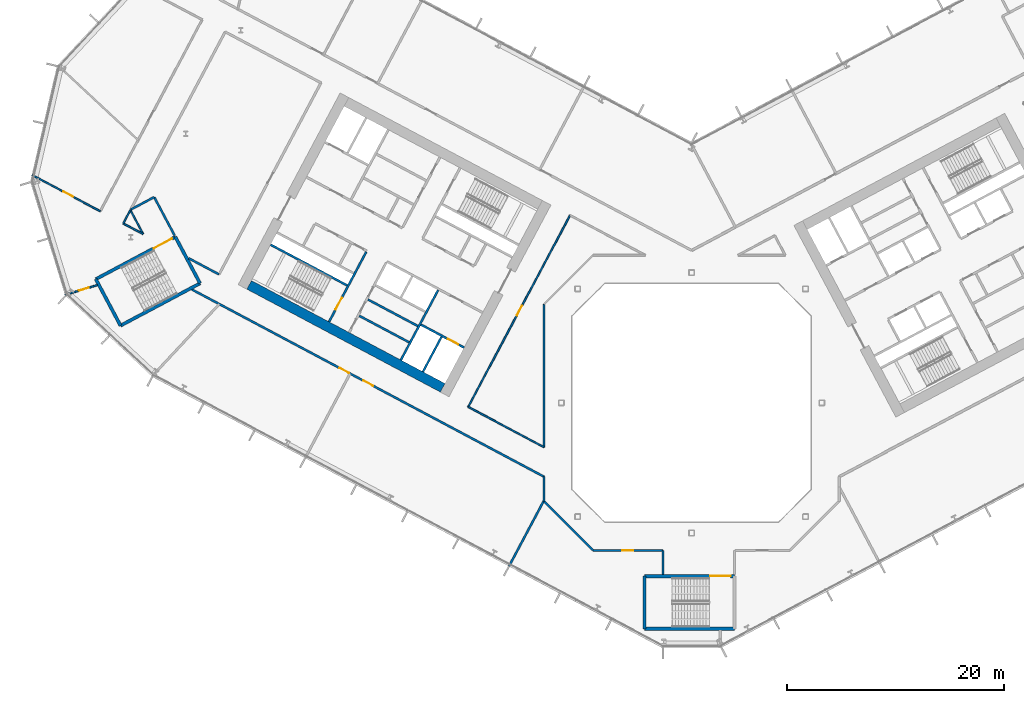
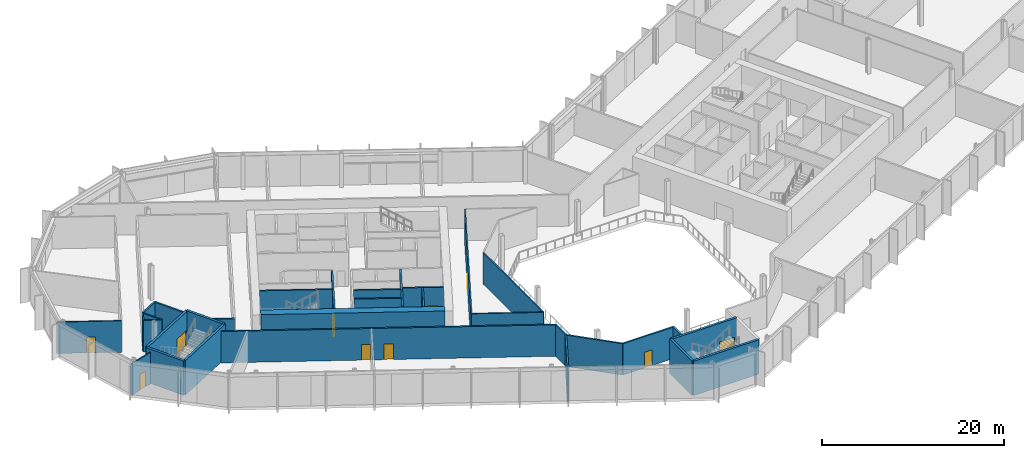
# One storey, part 14 of 32: 32 walls, 10 doors, 10 openings.
"""IFC4 building model written with IfcOpenShell, lengths in metres."""

from ifc_helpers import new_model, si_unit, direction, frame, frame_2d, origin, place, context, subcontext, project, spatial, rectangle, extrude, material, layer, layer_set, type_object, element, fill, save


model = new_model("IFC4")

# Units and contexts
model_context = context("Model", 3, precision=1e-05, world=origin(), true_north=direction((0.0, 1.0)))
body_context = subcontext(model_context, "Body", "Model", "MODEL_VIEW")
ifc_project = project(units=[si_unit("LENGTHUNIT", "METRE"), si_unit("AREAUNIT", "SQUARE_METRE"), si_unit("VOLUMEUNIT", "CUBIC_METRE"), si_unit("PLANEANGLEUNIT", "RADIAN"), si_unit("MASSUNIT", "GRAM", prefix="KILO")], contexts=[model_context])

# Site, building, storey
site_placement = place(None, origin())
site = spatial("IfcSite", under=ifc_project, at=site_placement, CompositionType="ELEMENT")
building_placement = place(site_placement, origin())
building = spatial("IfcBuilding", under=site, at=building_placement, Name="Cormorant Relay Tower", CompositionType="ELEMENT")
storey_placement = place(building_placement, frame((0.0, 0.0, 75.39990234375)))
storey = spatial("IfcBuildingStorey", under=building, at=storey_placement, Name="L14", CompositionType="ELEMENT", Elevation=75.39990234375)

# Walls
ifc_material_1 = material(Name="Concrete 40 MPa", Category="concrete")
ifc_layer_1 = layer(ifc_material_1, 0.199951171875)
ifc_layer_set_1 = layer_set([ifc_layer_1], Name="Core internal wall 200")
wall_type_1 = type_object("IfcWallType", Name="Core internal wall 200", PredefinedType="SOLIDWALL", material=ifc_layer_set_1)
for number, where, z_axis, x_axis, name in (
    (1, (-25.232421875, 7.073974609375, 0.0), (0.0, 0.0, 1.0), (-0.882953967957, 0.469459572775, 0.0), "L14 core A shaft and room wall"),
    (2, (-26.030517578125, 5.572998046875, 0.0), (0.0, 0.0, 1.0), (-0.882953967957, 0.469459572775, 0.0), "L14 core A shaft and room wall"),
):
    element("IfcWall", number, at=place(storey_placement, frame(where, z_axis=z_axis, x_axis=x_axis)), inside=storey, type_object=wall_type_1, Name=name, PredefinedType="SOLIDWALL", context=body_context, shape_type="SweptSolid", body=[
        extrude(rectangle(XDim=5.199951171875, YDim=0.199951171875, at=frame_2d((2.60009765625, 0.0))), origin(), (0.0, 0.0, 1.0), 4.60009765625),
    ])
ifc_material_2 = material(Name="Concrete 50 MPa", Category="concrete")
ifc_layer_2 = layer(ifc_material_2, 0.199951171875)
ifc_layer_set_2 = layer_set([ifc_layer_2], Name="Core shaft wall 200")
wall_type_2 = type_object("IfcWallType", Name="Core shaft wall 200", PredefinedType="SHEAR", material=ifc_layer_set_2)
wall_1_placement = place(storey_placement, frame((-23.04296875, 6.07958984375, 0.0), z_axis=(0.0, 0.0, 1.0), x_axis=(-0.469494272526, -0.882935517501, 0.0)))
element("IfcWall", 3, at=wall_1_placement, inside=storey, type_object=wall_type_2, Name="L14 core A shaft wall", PredefinedType="SHEAR", context=body_context, shape_type="SweptSolid", body=[
    extrude(rectangle(XDim=3.64990234375, YDim=0.199951171875, at=frame_2d((1.824951171875, 0.0))), origin(), (0.0, 0.0, 1.0), 4.60009765625),
])
wall_2_placement = place(storey_placement, frame((-23.360107421875, 10.38232421875, 0.0), z_axis=(0.0, 0.0, 1.0), x_axis=(-0.469480409012, -0.88294288918, 0.0)))
element("IfcWall", 4, at=wall_2_placement, inside=storey, type_object=wall_type_2, Name="L14 core A shaft wall", PredefinedType="SHEAR", context=body_context, shape_type="SweptSolid", body=[
    extrude(rectangle(XDim=7.300048828125, YDim=0.199951171875, at=frame_2d((3.64990234375, 0.0))), origin(), (0.0, 0.0, 1.0), 4.60009765625),
])

# Wall, opening, door
wall_3_placement = place(storey_placement, frame((-29.982421875, 13.9033203125, 0.0), z_axis=(0.0, 0.0, 1.0), x_axis=(-0.469454336211, -0.882956752176, 0.0)))
wall_3 = element("IfcWall", 5, at=wall_3_placement, inside=storey, type_object=wall_type_2, Name="L14 core A shaft wall", PredefinedType="SHEAR", context=body_context, shape_type="SweptSolid", body=[
    extrude(rectangle(XDim=7.300048828125, YDim=0.199951171875, at=frame_2d((3.64990234375, 0.0))), origin(), (0.0, 0.0, 1.0), 4.60009765625),
])
opening_1_placement = place(wall_3_placement, frame((4.800048828125, 0.0, 0.0)))
opening_1 = element("IfcOpeningElement", 6, at=opening_1_placement, cuts=wall_3, Name="Opening CDB-025", PredefinedType="OPENING", context=body_context, shape_type="SweptSolid", body=[
    extrude(rectangle(XDim=1.199951171875, YDim=2.10009765625, at=frame_2d((0.60009765625, 1.050048828125))), frame((0.0, 0.10986328125, 0.0), z_axis=(0.0, -1.0, 0.0), x_axis=(1.0, 0.0, 0.0)), (0.0, 0.0, 1.0), 0.219970703125),
])
ifc_material_3 = material(Name="Steel fire door", Category="steel")
door_type_1 = type_object("IfcDoorType", Name="Core stair door 1200x2100", OperationType="SINGLE_SWING_LEFT", PredefinedType="DOOR", material=ifc_material_3)
door_1_placement = place(opening_1_placement, frame((1.199951171875, 0.0, 0.0), z_axis=(0.0, 0.0, 1.0), x_axis=(-1.0, 0.0, 0.0)))
door_1 = element("IfcDoor", 7, at=door_1_placement, inside=storey, type_object=door_type_1, Name="Core stair door 1200x2100", OperationType="SINGLE_SWING_RIGHT", OverallHeight=2.10009765625, OverallWidth=1.199951171875, PredefinedType="DOOR", context=body_context, shape_type="SweptSolid", body=[
    extrude(rectangle(XDim=1.199951171875, YDim=2.10009765625, at=frame_2d((0.60009765625, 1.050048828125))), frame((0.0, 0.02490234375, 0.0), z_axis=(0.0, -1.0, 0.0), x_axis=(1.0, 0.0, 0.0)), (0.0, 0.0, 1.0), 0.050048828125),
])
fill(opening_1, door_1)

wall_4_placement = place(storey_placement, frame((-20.96533203125, 5.088134765625, 0.0), z_axis=(0.0, 0.0, 1.0), x_axis=(-0.882925986334, 0.469512196493, 0.0)))
wall_4 = element("IfcWall", 8, at=wall_4_placement, inside=storey, type_object=wall_type_2, Name="L14 core A shaft wall", PredefinedType="SHEAR", context=body_context, shape_type="SweptSolid", body=[
    extrude(rectangle(XDim=4.5, YDim=0.199951171875, at=frame_2d((2.25, 0.0))), origin(), (0.0, 0.0, 1.0), 4.60009765625),
])
opening_2_placement = place(wall_4_placement, frame((0.60009765625, 0.0, 0.0)))
opening_2 = element("IfcOpeningElement", 9, at=opening_2_placement, cuts=wall_4, Name="Opening LD1-027", PredefinedType="OPENING", context=body_context, shape_type="SweptSolid", body=[
    extrude(rectangle(XDim=1.10009765625, YDim=2.10009765625, at=frame_2d((0.550048828125, 1.050048828125))), frame((0.0, 0.10986328125, 0.0), z_axis=(0.0, -1.0, 0.0), x_axis=(1.0, 0.0, 0.0)), (0.0, 0.0, 1.0), 0.219970703125),
])
ifc_material_4 = material(Name="Stainless steel 316", Category="steel")
door_type_2 = type_object("IfcDoorType", Name="Lift landing door 1100x2100", OperationType="DOUBLE_DOOR_SLIDING", PredefinedType="DOOR", material=ifc_material_4)
door_2_placement = place(opening_2_placement, origin())
door_2 = element("IfcDoor", 10, at=door_2_placement, inside=storey, type_object=door_type_2, Name="FF1 landing door", OperationType="DOUBLE_DOOR_SLIDING", OverallHeight=2.10009765625, OverallWidth=1.10009765625, PredefinedType="DOOR", context=body_context, shape_type="SweptSolid", body=[
    extrude(rectangle(XDim=1.10009765625, YDim=2.10009765625, at=frame_2d((0.550048828125, 1.050048828125))), frame((0.0, 0.02490234375, 0.0), z_axis=(0.0, -1.0, 0.0), x_axis=(1.0, 0.0, 0.0)), (0.0, 0.0, 1.0), 0.050048828125),
])
fill(opening_2, door_2)

# Walls
wall_5_placement = place(storey_placement, frame((-31.7373046875, 10.815673828125, 0.0), z_axis=(0.0, 0.0, 1.0), x_axis=(-0.882940221191, 0.469485426614, 0.0)))
element("IfcWall", 11, at=wall_5_placement, inside=storey, type_object=wall_type_2, Name="L14 core A shaft wall", PredefinedType="SHEAR", context=body_context, shape_type="SweptSolid", body=[
    extrude(rectangle(XDim=8.0, YDim=0.199951171875, at=frame_2d((4.0, 0.0))), origin(), (0.0, 0.0, 1.0), 4.60009765625),
])
ifc_material_5 = material(Name="Concrete 70 MPa", Category="concrete")
ifc_layer_3 = layer(ifc_material_5, 0.89990234375)
ifc_layer_set_3 = layer_set([ifc_layer_3], Name="Core wall 900")
wall_type_3 = type_object("IfcWallType", Name="Core wall 900", PredefinedType="SHEAR", material=ifc_layer_set_3)
wall_6_placement = place(storey_placement, frame((-22.93701171875, 1.3798828125, 0.0), z_axis=(0.0, 0.0, 1.0), x_axis=(-0.88295276571, 0.46946183394, 0.0)))
element("IfcWall", 12, at=wall_6_placement, inside=storey, type_object=wall_type_3, Name="L14 core A wall", PredefinedType="SHEAR", context=body_context, shape_type="SweptSolid", body=[
    extrude(rectangle(XDim=20.199951171875, YDim=0.89990234375, at=frame_2d((10.10009765625, 0.0))), origin(), (0.0, 0.0, 1.0), 4.60009765625),
])
ifc_material_6 = material(Name="Fire-rated gypsum board partition")
ifc_layer_4 = layer(ifc_material_6, 0.199951171875)
ifc_layer_set_4 = layer_set([ifc_layer_4], Name="Fire-rated gypsum partition 200")
wall_type_4 = type_object("IfcWallType", Name="Fire-rated gypsum partition 200", PredefinedType="PARTITIONING", material=ifc_layer_set_4)
wall_7_placement = place(storey_placement, frame((-47.63720703125, 15.40869140625, 0.0), z_axis=(0.0, 0.0, 1.0), x_axis=(-0.469590790968, 0.882884187783, 0.0)))
element("IfcWall", 13, at=wall_7_placement, inside=storey, type_object=wall_type_4, Name="wall/L14/part/10", PredefinedType="PARTITIONING", context=body_context, shape_type="SweptSolid", body=[
    extrude(rectangle(XDim=4.015625, YDim=0.199951171875, at=frame_2d((2.0078125, 0.0))), origin(), (0.0, 0.0, 1.0), 4.2001953125),
])
wall_8_placement = place(storey_placement, frame((-49.52294921875, 18.9541015625, 0.0), z_axis=(0.0, 0.0, 1.0), x_axis=(-0.882767334528, -0.469810422501, 0.0)))
element("IfcWall", 14, at=wall_8_placement, inside=storey, type_object=wall_type_4, Name="wall/L14/part/11", PredefinedType="PARTITIONING", context=body_context, shape_type="SweptSolid", body=[
    extrude(rectangle(XDim=2.460693359375, YDim=0.199951171875, at=frame_2d((1.23046875, 0.0))), origin(), (0.0, 0.0, 1.0), 4.2001953125),
])
wall_9_placement = place(storey_placement, frame((-43.5439453125, 11.826904296875, 0.0), z_axis=(0.0, 0.0, 1.0), x_axis=(-0.88289413979, 0.469572079584, 0.0)))
element("IfcWall", 15, at=wall_9_placement, inside=storey, type_object=wall_type_4, Name="wall/L14/part/15", PredefinedType="PARTITIONING", context=body_context, shape_type="SweptSolid", body=[
    extrude(rectangle(XDim=3.16845703125, YDim=0.199951171875, at=frame_2d((1.584228515625, 0.0))), origin(), (0.0, 0.0, 1.0), 4.2001953125),
])
wall_10_placement = place(storey_placement, frame((-13.60009765625, -9.076904296875, 0.0), z_axis=(0.0, 0.0, 1.0), x_axis=(0.0, 1.0, 0.0)))
element("IfcWall", 16, at=wall_10_placement, inside=storey, type_object=wall_type_4, Name="wall/L14/part/16", PredefinedType="PARTITIONING", context=body_context, shape_type="SweptSolid", body=[
    extrude(rectangle(XDim=2.263916015625, YDim=0.199951171875, at=frame_2d((1.1318359375, 0.0))), origin(), (0.0, 0.0, 1.0), 4.2001953125),
])

# Wall, openings, doors
wall_11_placement = place(storey_placement, frame((-13.60009765625, -6.81298828125, 0.0), z_axis=(0.0, 0.0, 1.0), x_axis=(-0.882934546757, 0.469496098113, 0.0)))
wall_11 = element("IfcWall", 17, at=wall_11_placement, inside=storey, type_object=wall_type_4, Name="wall/L14/part/17", PredefinedType="PARTITIONING", context=body_context, shape_type="SweptSolid", body=[
    extrude(rectangle(XDim=36.757568359375, YDim=0.199951171875, at=frame_2d((18.37890625, 0.0))), origin(), (0.0, 0.0, 1.0), 4.2001953125),
])
opening_3_placement = place(wall_11_placement, frame((20.35009765625, 0.0, 0.0)))
opening_3 = element("IfcOpeningElement", 18, at=opening_3_placement, cuts=wall_11, Name="Opening FD1-081", PredefinedType="OPENING", context=body_context, shape_type="SweptSolid", body=[
    extrude(rectangle(XDim=1.0, YDim=2.10009765625, at=frame_2d((0.5, 1.050048828125))), frame((0.0, 0.10986328125, 0.0), z_axis=(0.0, -1.0, 0.0), x_axis=(1.0, 0.0, 0.0)), (0.0, 0.0, 1.0), 0.219970703125),
])
opening_4_placement = place(wall_11_placement, frame((17.85009765625, 0.0, 0.0)))
opening_4 = element("IfcOpeningElement", 19, at=opening_4_placement, cuts=wall_11, Name="Opening FD1-082", PredefinedType="OPENING", context=body_context, shape_type="SweptSolid", body=[
    extrude(rectangle(XDim=1.0, YDim=2.10009765625, at=frame_2d((0.5, 1.050048828125))), frame((0.0, 0.10986328125, 0.0), z_axis=(0.0, -1.0, 0.0), x_axis=(1.0, 0.0, 0.0)), (0.0, 0.0, 1.0), 0.219970703125),
])
ifc_material_7 = material(Name="Fire-rated steel door", Category="steel")
door_type_3 = type_object("IfcDoorType", Name="Fire door 1000 x 2100", OperationType="SINGLE_SWING_LEFT", PredefinedType="DOOR", material=ifc_material_7)
door_3_placement = place(opening_3_placement, origin())
door_3 = element("IfcDoor", 20, at=door_3_placement, inside=storey, type_object=door_type_3, Name="door/L14/18", OperationType="SINGLE_SWING_LEFT", OverallHeight=2.10009765625, OverallWidth=1.0, PredefinedType="DOOR", context=body_context, shape_type="SweptSolid", body=[
    extrude(rectangle(XDim=1.0, YDim=2.10009765625, at=frame_2d((0.5, 1.050048828125))), frame((0.0, 0.02490234375, 0.0), z_axis=(0.0, -1.0, 0.0), x_axis=(1.0, 0.0, 0.0)), (0.0, 0.0, 1.0), 0.050048828125),
])
fill(opening_3, door_3)
door_4_placement = place(opening_4_placement, origin())
door_4 = element("IfcDoor", 21, at=door_4_placement, inside=storey, type_object=door_type_3, Name="door/L14/19", OperationType="SINGLE_SWING_RIGHT", OverallHeight=2.10009765625, OverallWidth=1.0, PredefinedType="DOOR", context=body_context, shape_type="SweptSolid", body=[
    extrude(rectangle(XDim=1.0, YDim=2.10009765625, at=frame_2d((0.5, 1.050048828125))), frame((0.0, 0.02490234375, 0.0), z_axis=(0.0, -1.0, 0.0), x_axis=(1.0, 0.0, 0.0)), (0.0, 0.0, 1.0), 0.050048828125),
])
fill(opening_4, door_4)

# Walls
wall_12_placement = place(storey_placement, frame((-13.60009765625, -8.998046875, 0.0), z_axis=(0.0, 0.0, 1.0), x_axis=(-0.469531053644, -0.882915958438, 0.0)))
element("IfcWall", 22, at=wall_12_placement, inside=storey, type_object=wall_type_4, Name="wall/L14/part/20", PredefinedType="PARTITIONING", context=body_context, shape_type="SweptSolid", body=[
    extrude(rectangle(XDim=6.870361328125, YDim=0.199951171875, at=frame_2d((3.43505859375, 0.0))), origin(), (0.0, 0.0, 1.0), 4.2001953125),
])
wall_13_placement = place(storey_placement, frame((-13.60009765625, -9.076904296875, 0.0), z_axis=(0.0, 0.0, 1.0), x_axis=(0.707106781187, -0.707106781187, 0.0)))
element("IfcWall", 23, at=wall_13_placement, inside=storey, type_object=wall_type_4, Name="wall/L14/part/23", PredefinedType="PARTITIONING", context=body_context, shape_type="SweptSolid", body=[
    extrude(rectangle(XDim=6.396728515625, YDim=0.199951171875, at=frame_2d((3.1982421875, 0.0))), origin(), (0.0, 0.0, 1.0), 4.2001953125),
])
wall_14_placement = place(storey_placement, frame((-2.64892578125, -15.840087890625, 0.0), z_axis=(0.0, 0.0, 1.0), x_axis=(0.0, 1.0, 0.0)))
element("IfcWall", 24, at=wall_14_placement, inside=storey, type_object=wall_type_4, Name="wall/L14/part/25", PredefinedType="PARTITIONING", context=body_context, shape_type="SweptSolid", body=[
    extrude(rectangle(XDim=2.239990234375, YDim=0.199951171875, at=frame_2d((1.1201171875, 0.0))), origin(), (0.0, 0.0, 1.0), 4.2001953125),
])

# Wall, opening, door
wall_15_placement = place(storey_placement, frame((-2.64892578125, -13.60009765625, 0.0), z_axis=(0.0, 0.0, 1.0), x_axis=(-1.0, 0.0, 0.0)))
wall_15 = element("IfcWall", 25, at=wall_15_placement, inside=storey, type_object=wall_type_4, Name="wall/L14/part/26", PredefinedType="PARTITIONING", context=body_context, shape_type="SweptSolid", body=[
    extrude(rectangle(XDim=6.427978515625, YDim=0.199951171875, at=frame_2d((3.2138671875, 0.0))), origin(), (0.0, 0.0, 1.0), 4.2001953125),
])
opening_5_placement = place(wall_15_placement, frame((2.75, 0.0, 0.0)))
opening_5 = element("IfcOpeningElement", 26, at=opening_5_placement, cuts=wall_15, Name="Opening FD1-083", PredefinedType="OPENING", context=body_context, shape_type="SweptSolid", body=[
    extrude(rectangle(XDim=1.0, YDim=2.10009765625, at=frame_2d((0.5, 1.050048828125))), frame((0.0, 0.10986328125, 0.0), z_axis=(0.0, -1.0, 0.0), x_axis=(1.0, 0.0, 0.0)), (0.0, 0.0, 1.0), 0.219970703125),
])
door_5_placement = place(opening_5_placement, origin())
door_5 = element("IfcDoor", 27, at=door_5_placement, inside=storey, type_object=door_type_3, Name="door/L14/20", OperationType="SINGLE_SWING_LEFT", OverallHeight=2.10009765625, OverallWidth=1.0, PredefinedType="DOOR", context=body_context, shape_type="SweptSolid", body=[
    extrude(rectangle(XDim=1.0, YDim=2.10009765625, at=frame_2d((0.5, 1.050048828125))), frame((0.0, 0.02490234375, 0.0), z_axis=(0.0, -1.0, 0.0), x_axis=(1.0, 0.0, 0.0)), (0.0, 0.0, 1.0), 0.050048828125),
])
fill(opening_5, door_5)

ifc_material_8 = material(Name="Gypsum board partition")
ifc_layer_5 = layer(ifc_material_8, 0.14990234375)
ifc_layer_set_5 = layer_set([ifc_layer_5], Name="Gypsum board partition 150")
wall_type_5 = type_object("IfcWallType", Name="Gypsum board partition 150", PredefinedType="PARTITIONING", material=ifc_layer_set_5)
wall_16_placement = place(storey_placement, frame((-54.492919921875, 17.64892578125, 0.0), z_axis=(0.0, 0.0, 1.0), x_axis=(-0.882938254124, 0.469489125971, 0.0)))
wall_16 = element("IfcWall", 28, at=wall_16_placement, inside=storey, type_object=wall_type_5, Name="wall/L14/part/4", PredefinedType="PARTITIONING", context=body_context, shape_type="SweptSolid", body=[
    extrude(rectangle(XDim=7.127197265625, YDim=0.14990234375, at=frame_2d((3.5634765625, 0.0))), origin(), (0.0, 0.0, 1.0), 4.2001953125),
])
opening_6_placement = place(wall_16_placement, frame((2.85009765625, 0.0, 0.0)))
opening_6 = element("IfcOpeningElement", 29, at=opening_6_placement, cuts=wall_16, Name="Opening D1-029", PredefinedType="OPENING", context=body_context, shape_type="SweptSolid", body=[
    extrude(rectangle(XDim=1.0, YDim=2.10009765625, at=frame_2d((0.5, 1.050048828125))), frame((0.0, 0.0849609375, 0.0), z_axis=(0.0, -1.0, 0.0), x_axis=(1.0, 0.0, 0.0)), (0.0, 0.0, 1.0), 0.169921875),
])
ifc_material_9 = material(Name="Painted steel door", Category="steel")
door_type_4 = type_object("IfcDoorType", Name="Single door 1000 x 2100", OperationType="SINGLE_SWING_LEFT", PredefinedType="DOOR", material=ifc_material_9)
door_6_placement = place(opening_6_placement, frame((1.0, 0.0, 0.0), z_axis=(0.0, 0.0, 1.0), x_axis=(-1.0, 0.0, 0.0)))
door_6 = element("IfcDoor", 30, at=door_6_placement, inside=storey, type_object=door_type_4, Name="door/L14/2", OperationType="SINGLE_SWING_RIGHT", OverallHeight=2.10009765625, OverallWidth=1.0, PredefinedType="DOOR", context=body_context, shape_type="SweptSolid", body=[
    extrude(rectangle(XDim=1.0, YDim=2.10009765625, at=frame_2d((0.5, 1.050048828125))), frame((0.0, 0.02490234375, 0.0), z_axis=(0.0, -1.0, 0.0), x_axis=(1.0, 0.0, 0.0)), (0.0, 0.0, 1.0), 0.050048828125),
])
fill(opening_6, door_6)

wall_17_placement = place(storey_placement, frame((-54.7607421875, 10.847900390625, 0.0), z_axis=(0.0, 0.0, 1.0), x_axis=(-0.956301064033, -0.29238378021, 0.0)))
wall_17 = element("IfcWall", 31, at=wall_17_placement, inside=storey, type_object=wall_type_5, Name="wall/L14/part/5", PredefinedType="PARTITIONING", context=body_context, shape_type="SweptSolid", body=[
    extrude(rectangle(XDim=3.115478515625, YDim=0.14990234375, at=frame_2d((1.5576171875, 0.0))), origin(), (0.0, 0.0, 1.0), 4.2001953125),
])
opening_7_placement = place(wall_17_placement, frame((0.820068359375, 0.0, 0.0)))
opening_7 = element("IfcOpeningElement", 32, at=opening_7_placement, cuts=wall_17, Name="Opening D2-012", PredefinedType="OPENING", context=body_context, shape_type="SweptSolid", body=[
    extrude(rectangle(XDim=0.949951171875, YDim=2.10009765625, at=frame_2d((0.47509765625, 1.050048828125))), frame((0.0, 0.0849609375, 0.0), z_axis=(0.0, -1.0, 0.0), x_axis=(1.0, 0.0, 0.0)), (0.0, 0.0, 1.0), 0.169921875),
])
ifc_material_10 = material(Name="Timber door", Category="wood")
door_type_5 = type_object("IfcDoorType", Name="Toilet door 950 x 2100", OperationType="SINGLE_SWING_LEFT", PredefinedType="DOOR", material=ifc_material_10)
door_7_placement = place(opening_7_placement, origin())
door_7 = element("IfcDoor", 33, at=door_7_placement, inside=storey, type_object=door_type_5, Name="door/L14/17", OperationType="SINGLE_SWING_RIGHT", OverallHeight=2.10009765625, OverallWidth=0.949951171875, PredefinedType="DOOR", context=body_context, shape_type="SweptSolid", body=[
    extrude(rectangle(XDim=0.949951171875, YDim=2.10009765625, at=frame_2d((0.47509765625, 1.050048828125))), frame((0.0, 0.02490234375, 0.0), z_axis=(0.0, -1.0, 0.0), x_axis=(1.0, 0.0, 0.0)), (0.0, 0.0, 1.0), 0.050048828125),
])
fill(opening_7, door_7)

# Walls
wall_18_placement = place(storey_placement, frame((-51.717041015625, 17.757080078125, 0.0), z_axis=(0.0, 0.0, 1.0), x_axis=(-0.469618761384, -0.882869310236, 0.0)))
element("IfcWall", 34, at=wall_18_placement, inside=storey, type_object=wall_type_5, Name="wall/L14/part/52", PredefinedType="PARTITIONING", context=body_context, shape_type="SweptSolid", body=[
    extrude(rectangle(XDim=1.39892578125, YDim=0.14990234375, at=frame_2d((0.699462890625, 0.0))), origin(), (0.0, 0.0, 1.0), 4.2001953125),
])
wall_19_placement = place(storey_placement, frame((-52.3740234375, 16.52197265625, 0.0), z_axis=(0.0, 0.0, 1.0), x_axis=(0.882981472085, -0.469407839682, 0.0)))
element("IfcWall", 35, at=wall_19_placement, inside=storey, type_object=wall_type_5, Name="wall/L14/part/53", PredefinedType="PARTITIONING", context=body_context, shape_type="SweptSolid", body=[
    extrude(rectangle(XDim=2.072509765625, YDim=0.14990234375, at=frame_2d((1.0361328125, 0.0))), origin(), (0.0, 0.0, 1.0), 4.2001953125),
])
wall_20_placement = place(storey_placement, frame((-50.5439453125, 15.549072265625, 0.0), z_axis=(0.0, 0.0, 1.0), x_axis=(-0.469183782948, 0.883100547967, 0.0)))
element("IfcWall", 36, at=wall_20_placement, inside=storey, type_object=wall_type_5, Name="wall/L14/part/54", PredefinedType="PARTITIONING", context=body_context, shape_type="SweptSolid", body=[
    extrude(rectangle(XDim=2.500244140625, YDim=0.14990234375, at=frame_2d((1.25, 0.0))), origin(), (0.0, 0.0, 1.0), 4.2001953125),
])

# Wall, opening, door
wall_21_placement = place(storey_placement, frame((-20.587890625, -0.37890625, 0.0), z_axis=(0.0, 0.0, 1.0), x_axis=(0.469489882812, 0.882937851685, 0.0)))
wall_21 = element("IfcWall", 37, at=wall_21_placement, inside=storey, type_object=wall_type_5, Name="wall/L14/part/55", PredefinedType="PARTITIONING", context=body_context, shape_type="SweptSolid", body=[
    extrude(rectangle(XDim=20.000244140625, YDim=0.14990234375, at=frame_2d((10.0, 0.0))), origin(), (0.0, 0.0, 1.0), 4.2001953125),
])
opening_8_placement = place(wall_21_placement, frame((9.550048828125, 0.0, 0.0)))
opening_8 = element("IfcOpeningElement", 38, at=opening_8_placement, cuts=wall_21, Name="Opening D1-031", PredefinedType="OPENING", context=body_context, shape_type="SweptSolid", body=[
    extrude(rectangle(XDim=1.0, YDim=2.10009765625, at=frame_2d((0.5, 1.050048828125))), frame((0.0, 0.0849609375, 0.0), z_axis=(0.0, -1.0, 0.0), x_axis=(1.0, 0.0, 0.0)), (0.0, 0.0, 1.0), 0.169921875),
])
door_8_placement = place(opening_8_placement, frame((1.0, 0.0, 0.0), z_axis=(0.0, 0.0, 1.0), x_axis=(-1.0, 0.0, 0.0)))
door_8 = element("IfcDoor", 39, at=door_8_placement, inside=storey, type_object=door_type_4, Name="door/L14/4", OperationType="SINGLE_SWING_LEFT", OverallHeight=2.10009765625, OverallWidth=1.0, PredefinedType="DOOR", context=body_context, shape_type="SweptSolid", body=[
    extrude(rectangle(XDim=1.0, YDim=2.10009765625, at=frame_2d((0.5, 1.050048828125))), frame((0.0, 0.02490234375, 0.0), z_axis=(0.0, -1.0, 0.0), x_axis=(1.0, 0.0, 0.0)), (0.0, 0.0, 1.0), 0.050048828125),
])
fill(opening_8, door_8)

# Walls
wall_22_placement = place(storey_placement, frame((-13.60009765625, 9.076904296875, 0.0), z_axis=(0.0, 0.0, 1.0), x_axis=(0.0, -1.0, 0.0)))
element("IfcWall", 40, at=wall_22_placement, inside=storey, type_object=wall_type_5, Name="wall/L14/part/59", PredefinedType="PARTITIONING", context=body_context, shape_type="SweptSolid", body=[
    extrude(rectangle(XDim=13.1708984375, YDim=0.14990234375, at=frame_2d((6.58544921875, 0.0))), origin(), (0.0, 0.0, 1.0), 4.2001953125),
])
wall_23_placement = place(storey_placement, frame((-13.60009765625, -4.093994140625, 0.0), z_axis=(0.0, 0.0, 1.0), x_axis=(-0.882967890474, 0.469433386533, 0.0)))
element("IfcWall", 41, at=wall_23_placement, inside=storey, type_object=wall_type_5, Name="wall/L14/part/60", PredefinedType="PARTITIONING", context=body_context, shape_type="SweptSolid", body=[
    extrude(rectangle(XDim=7.9140625, YDim=0.14990234375, at=frame_2d((3.95703125, 0.0))), origin(), (0.0, 0.0, 1.0), 4.2001953125),
])
ifc_material_11 = material(Name="Concrete 50 MPa", Category="concrete")
ifc_layer_6 = layer(ifc_material_11, 0.300048828125)
ifc_layer_set_6 = layer_set([ifc_layer_6], Name="Remote stair wall 300")
wall_type_6 = type_object("IfcWallType", Name="Remote stair wall 300", PredefinedType="SHEAR", material=ifc_layer_set_6)
wall_24_placement = place(storey_placement, frame((3.949951171875, -20.824951171875, 0.0), z_axis=(0.0, 0.0, 1.0), x_axis=(-1.0, 0.0, 0.0)))
element("IfcWall", 42, at=wall_24_placement, inside=storey, type_object=wall_type_6, Name="L14 exit stair RK1 wall", PredefinedType="SHEAR", context=body_context, shape_type="SweptSolid", body=[
    extrude(rectangle(XDim=8.300048828125, YDim=0.300048828125, at=frame_2d((4.14990234375, 0.0))), origin(), (0.0, 0.0, 1.0), 4.60009765625),
])
wall_25_placement = place(storey_placement, frame((-4.35009765625, -20.824951171875, 0.0), z_axis=(0.0, 0.0, 1.0), x_axis=(0.0, 1.0, 0.0)))
element("IfcWall", 43, at=wall_25_placement, inside=storey, type_object=wall_type_6, Name="L14 exit stair RK1 wall", PredefinedType="SHEAR", context=body_context, shape_type="SweptSolid", body=[
    extrude(rectangle(XDim=4.849853515625, YDim=0.300048828125, at=frame_2d((2.4248046875, 0.0))), origin(), (0.0, 0.0, 1.0), 4.60009765625),
])

# Wall, opening, door
wall_26_placement = place(storey_placement, frame((-4.35009765625, -15.97509765625, 0.0), z_axis=(0.0, 0.0, 1.0), x_axis=(1.0, 0.0, 0.0)))
wall_26 = element("IfcWall", 44, at=wall_26_placement, inside=storey, type_object=wall_type_6, Name="L14 exit stair RK1 wall", PredefinedType="SHEAR", context=body_context, shape_type="SweptSolid", body=[
    extrude(rectangle(XDim=8.300048828125, YDim=0.300048828125, at=frame_2d((4.14990234375, 0.0))), origin(), (0.0, 0.0, 1.0), 4.60009765625),
])
opening_9_placement = place(wall_26_placement, frame((6.050048828125, 0.0, 0.0)))
opening_9 = element("IfcOpeningElement", 45, at=opening_9_placement, cuts=wall_26, Name="Opening CDE-008", PredefinedType="OPENING", context=body_context, shape_type="SweptSolid", body=[
    extrude(rectangle(XDim=1.89990234375, YDim=2.10009765625, at=frame_2d((0.949951171875, 1.050048828125))), frame((0.0, 0.159912109375, 0.0), z_axis=(0.0, -1.0, 0.0), x_axis=(1.0, 0.0, 0.0)), (0.0, 0.0, 1.0), 0.320068359375),
])
ifc_material_12 = material(Name="Steel fire door", Category="steel")
door_type_6 = type_object("IfcDoorType", Name="Remote stair door 1900x2100", OperationType="DOUBLE_DOOR_SINGLE_SWING", PredefinedType="DOOR", material=ifc_material_12)
door_9_placement = place(opening_9_placement, frame((1.89990234375, 0.0, 0.0), z_axis=(0.0, 0.0, 1.0), x_axis=(-1.0, 0.0, 0.0)))
door_9 = element("IfcDoor", 46, at=door_9_placement, inside=storey, type_object=door_type_6, Name="Exit stair RK1 door", OperationType="DOUBLE_DOOR_SINGLE_SWING", OverallHeight=2.10009765625, OverallWidth=1.89990234375, PredefinedType="DOOR", context=body_context, shape_type="SweptSolid", body=[
    extrude(rectangle(XDim=1.89990234375, YDim=2.10009765625, at=frame_2d((0.949951171875, 1.050048828125))), frame((0.0, 0.02490234375, 0.0), z_axis=(0.0, -1.0, 0.0), x_axis=(1.0, 0.0, 0.0)), (0.0, 0.0, 1.0), 0.050048828125),
])
fill(opening_9, door_9)

# Walls
wall_27_placement = place(storey_placement, frame((-47.57421875, 15.28955078125, 0.0), z_axis=(0.0, 0.0, 1.0), x_axis=(0.469443498566, -0.882962514297, 0.0)))
element("IfcWall", 47, at=wall_27_placement, inside=storey, type_object=wall_type_6, Name="L14 exit stair RP1 wall", PredefinedType="SHEAR", context=body_context, shape_type="SweptSolid", body=[
    extrude(rectangle(XDim=4.85009765625, YDim=0.300048828125, at=frame_2d((2.425048828125, 0.0))), origin(), (0.0, 0.0, 1.0), 4.60009765625),
])
wall_28_placement = place(storey_placement, frame((-45.29736328125, 11.007080078125, 0.0), z_axis=(0.0, 0.0, 1.0), x_axis=(-0.882951519127, -0.469464178475, 0.0)))
element("IfcWall", 48, at=wall_28_placement, inside=storey, type_object=wall_type_6, Name="L14 exit stair RP1 wall", PredefinedType="SHEAR", context=body_context, shape_type="SweptSolid", body=[
    extrude(rectangle(XDim=8.2998046875, YDim=0.300048828125, at=frame_2d((4.14990234375, 0.0))), origin(), (0.0, 0.0, 1.0), 4.60009765625),
])
wall_29_placement = place(storey_placement, frame((-52.625732421875, 7.110595703125, 0.0), z_axis=(0.0, 0.0, 1.0), x_axis=(-0.469464364128, 0.882951420416, 0.0)))
element("IfcWall", 49, at=wall_29_placement, inside=storey, type_object=wall_type_6, Name="L14 exit stair RP1 wall", PredefinedType="SHEAR", context=body_context, shape_type="SweptSolid", body=[
    extrude(rectangle(XDim=4.849853515625, YDim=0.300048828125, at=frame_2d((2.4248046875, 0.0))), origin(), (0.0, 0.0, 1.0), 4.60009765625),
])

# Wall, opening, door
wall_30_placement = place(storey_placement, frame((-54.902587890625, 11.392822265625, 0.0), z_axis=(0.0, 0.0, 1.0), x_axis=(0.882939326045, 0.469487110071, 0.0)))
wall_30 = element("IfcWall", 50, at=wall_30_placement, inside=storey, type_object=wall_type_6, Name="L14 exit stair RP1 wall", PredefinedType="SHEAR", context=body_context, shape_type="SweptSolid", body=[
    extrude(rectangle(XDim=8.300048828125, YDim=0.300048828125, at=frame_2d((4.14990234375, 0.0))), origin(), (0.0, 0.0, 1.0), 4.60009765625),
])
opening_10_placement = place(wall_30_placement, frame((6.050048828125, 0.0, 0.0)))
opening_10 = element("IfcOpeningElement", 51, at=opening_10_placement, cuts=wall_30, Name="Opening CDE-009", PredefinedType="OPENING", context=body_context, shape_type="SweptSolid", body=[
    extrude(rectangle(XDim=1.89990234375, YDim=2.10009765625, at=frame_2d((0.949951171875, 1.050048828125))), frame((0.0, 0.159912109375, 0.0), z_axis=(0.0, -1.0, 0.0), x_axis=(1.0, 0.0, 0.0)), (0.0, 0.0, 1.0), 0.320068359375),
])
door_10_placement = place(opening_10_placement, frame((1.89990234375, 0.0, 0.0), z_axis=(0.0, 0.0, 1.0), x_axis=(-1.0, 0.0, 0.0)))
door_10 = element("IfcDoor", 52, at=door_10_placement, inside=storey, type_object=door_type_6, Name="Exit stair RP1 door", OperationType="DOUBLE_DOOR_SINGLE_SWING", OverallHeight=2.10009765625, OverallWidth=1.89990234375, PredefinedType="DOOR", context=body_context, shape_type="SweptSolid", body=[
    extrude(rectangle(XDim=1.89990234375, YDim=2.10009765625, at=frame_2d((0.949951171875, 1.050048828125))), frame((0.0, 0.02490234375, 0.0), z_axis=(0.0, -1.0, 0.0), x_axis=(1.0, 0.0, 0.0)), (0.0, 0.0, 1.0), 0.050048828125),
])
fill(opening_10, door_10)

save(model, "model.ifc")
